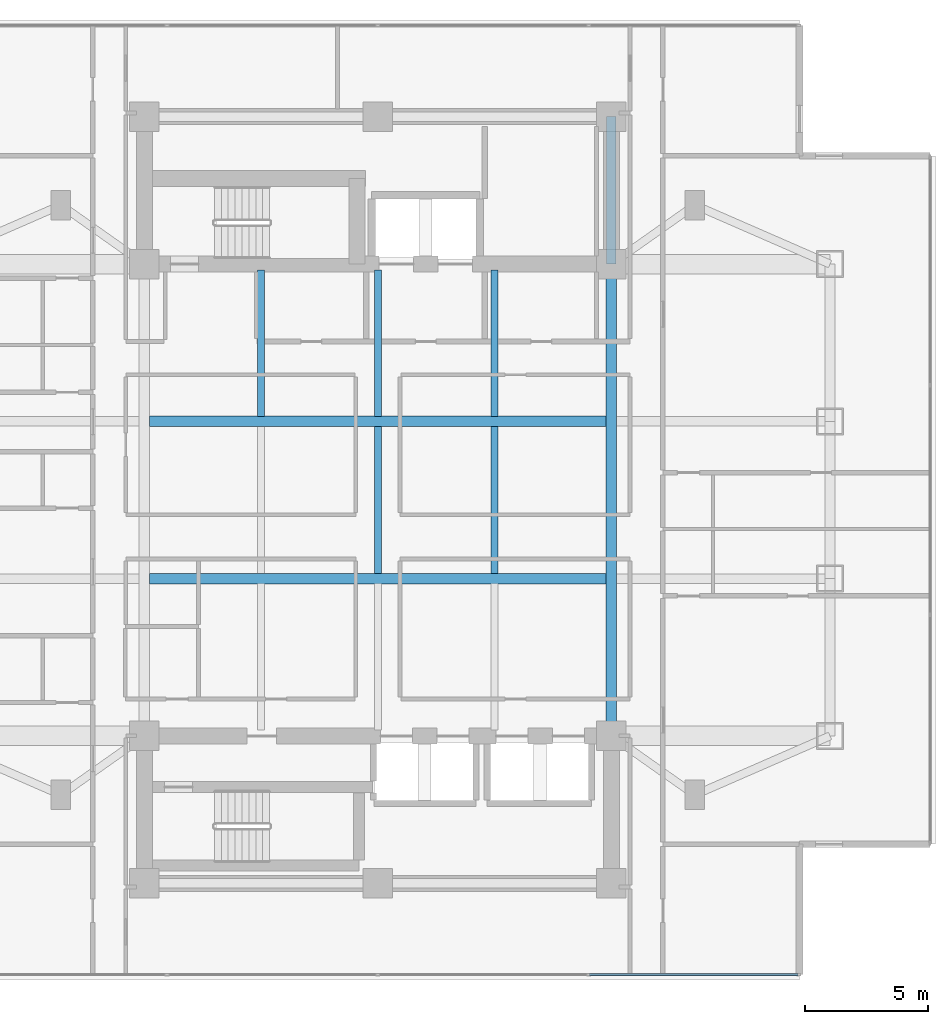
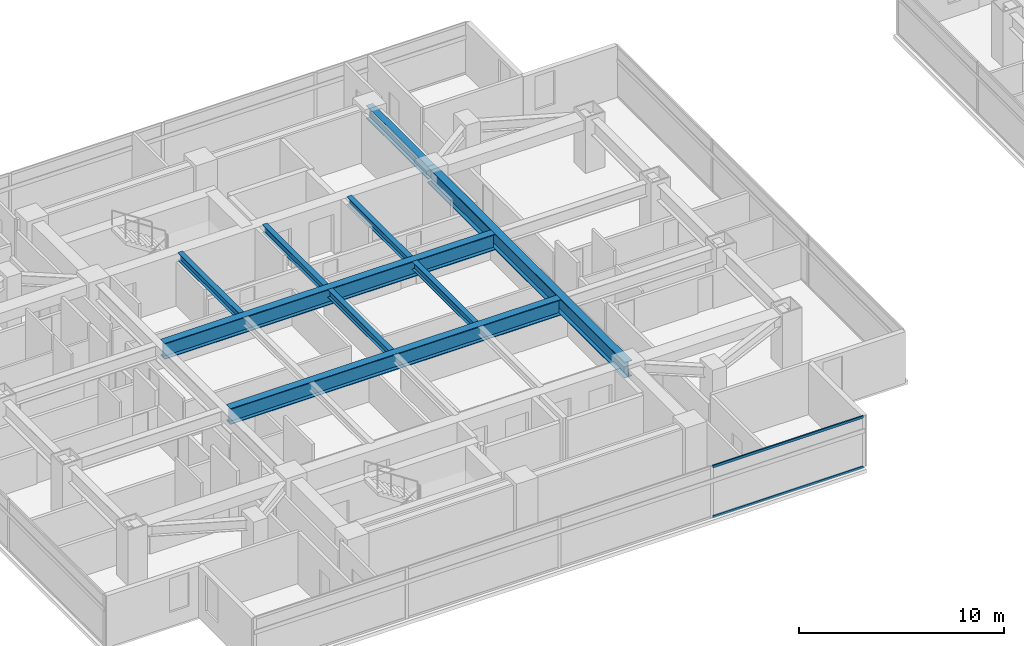
# One storey, part 4 of 26: 9 beams, 2 members, 1 element without a shape of its own.
"""IFC4 building model written with IfcOpenShell, lengths in metres."""

from ifc_helpers import new_model, si_unit, direction, frame, origin, origin_2d, place, context, subcontext, project, spatial, rectangle, i_section, extrude, material, material_profile, profile_set, type_object, element, aggregate, save


model = new_model("IFC4")

# Units and contexts
model_context = context("Model", 3, precision=1e-05, world=origin(), true_north=direction((0.0, 1.0)))
body_context = subcontext(model_context, "Body", "Model", "MODEL_VIEW")
ifc_project = project(units=[si_unit("LENGTHUNIT", "METRE"), si_unit("AREAUNIT", "SQUARE_METRE"), si_unit("VOLUMEUNIT", "CUBIC_METRE"), si_unit("PLANEANGLEUNIT", "RADIAN"), si_unit("MASSUNIT", "GRAM", prefix="KILO")], contexts=[model_context])

# Site, building, storey
site_placement = place(None, origin())
site = spatial("IfcSite", under=ifc_project, at=site_placement, CompositionType="ELEMENT")
building_placement = place(site_placement, origin())
building = spatial("IfcBuilding", under=site, at=building_placement, Name="Mirazonda Arch Towers", CompositionType="ELEMENT")
storey_placement = place(building_placement, frame((0.0, 0.0, 114.800048828125)))
storey = spatial("IfcBuildingStorey", under=building, at=storey_placement, Name="L32", CompositionType="ELEMENT", Elevation=114.800048828125)

# Beams
ifc_material_1 = material(Name="Steel ASTM A992 Grade 50", Category="steel")
ifc_material_profile_1 = material_profile(ifc_material_1, i_section(OverallWidth=0.280029296875, OverallDepth=0.462890625, WebThickness=0.0107421875, FlangeThickness=0.017333984375, at=origin_2d()), Name="W18X76")
ifc_profile_set_1 = profile_set([ifc_material_profile_1], Name="Steel ASTM A992 Grade 50")
beam_type_1 = type_object("IfcBeamType", Name="BM-INT-W18X76", PredefinedType="JOIST", material=ifc_profile_set_1)
for number, where, z_axis, x_axis, name in (
    (1, (15.75, 31.407470703125, 2.848388671875), (0.0, 1.0, 0.0), (-1.0, 0.0, 0.0), "L32 Floor Beam BM-T1-L32-J-157-31"),
    (2, (20.5, 31.407470703125, 2.848388671875), (0.0, 1.0, 0.0), (-1.0, 0.0, 0.0), "L32 Floor Beam BM-T1-L32-J-205-31"),
):
    element("IfcBeam", number, at=place(storey_placement, frame(where, z_axis=z_axis, x_axis=x_axis)), inside=storey, type_object=beam_type_1, Name=name, PredefinedType="JOIST", context=body_context, shape_type="SweptSolid", body=[
        extrude(i_section(OverallWidth=0.280029296875, OverallDepth=0.462890625, WebThickness=0.0107421875, FlangeThickness=0.017333984375, at=origin_2d()), origin(), (0.0, 0.0, 1.0), 5.95263671875),
    ])
beam_1_placement = place(storey_placement, frame((20.5, 25.007568359375, 2.848388671875), z_axis=(0.0, 1.0, 0.0), x_axis=(-1.0, 0.0, 0.0)))
element("IfcBeam", 3, at=beam_1_placement, inside=storey, type_object=beam_type_1, Name="L32 Floor Beam BM-T1-L32-J-205-24", PredefinedType="JOIST", context=body_context, shape_type="SweptSolid", body=[
    extrude(i_section(OverallWidth=0.280029296875, OverallDepth=0.462890625, WebThickness=0.0107421875, FlangeThickness=0.017333984375, at=origin_2d()), origin(), (0.0, 0.0, 1.0), 5.98486328125),
])
beam_2_placement = place(storey_placement, frame((25.25, 31.407470703125, 2.848388671875), z_axis=(0.0, 1.0, 0.0), x_axis=(-1.0, 0.0, 0.0)))
element("IfcBeam", 4, at=beam_2_placement, inside=storey, type_object=beam_type_1, Name="L32 Floor Beam BM-T1-L32-J-252-31", PredefinedType="JOIST", context=body_context, shape_type="SweptSolid", body=[
    extrude(i_section(OverallWidth=0.280029296875, OverallDepth=0.462890625, WebThickness=0.0107421875, FlangeThickness=0.017333984375, at=origin_2d()), origin(), (0.0, 0.0, 1.0), 5.95263671875),
])
beam_3_placement = place(storey_placement, frame((25.25, 25.007568359375, 2.848388671875), z_axis=(0.0, 1.0, 0.0), x_axis=(-1.0, 0.0, 0.0)))
element("IfcBeam", 5, at=beam_3_placement, inside=storey, type_object=beam_type_1, Name="L32 Floor Beam BM-T1-L32-J-252-24", PredefinedType="JOIST", context=body_context, shape_type="SweptSolid", body=[
    extrude(i_section(OverallWidth=0.280029296875, OverallDepth=0.462890625, WebThickness=0.0107421875, FlangeThickness=0.017333984375, at=origin_2d()), origin(), (0.0, 0.0, 1.0), 5.98486328125),
])
ifc_material_profile_2 = material_profile(ifc_material_1, i_section(OverallWidth=0.381103515625, OverallDepth=0.77294921875, WebThickness=0.0166015625, FlangeThickness=0.027099609375, at=origin_2d()), Name="W30X173")
ifc_profile_set_2 = profile_set([ifc_material_profile_2], Name="Steel ASTM A992 Grade 50")
beam_type_2 = type_object("IfcBeamType", Name="BM-INT-W30X173", PredefinedType="USERDEFINED", material=ifc_profile_set_2)
beam_4_placement = place(storey_placement, frame((30.0, 37.60009765625, 2.693359375), z_axis=(0.0, 1.0, 0.0), x_axis=(-1.0, 0.0, 0.0)))
element("IfcBeam", 6, at=beam_4_placement, inside=storey, type_object=beam_type_2, Name="L32 Floor Beam BM-T1-L32-CNE", ObjectType="GIRDER", PredefinedType="USERDEFINED", context=body_context, shape_type="SweptSolid", body=[
    extrude(i_section(OverallWidth=0.381103515625, OverallDepth=0.77294921875, WebThickness=0.0166015625, FlangeThickness=0.027099609375, at=origin_2d()), origin(), (0.0, 0.0, 1.0), 6.0),
])
ifc_material_profile_3 = material_profile(ifc_material_1, i_section(OverallWidth=0.423095703125, OverallDepth=0.947998046875, WebThickness=0.02392578125, FlangeThickness=0.042724609375, at=origin_2d()), Name="W36X302")
ifc_profile_set_3 = profile_set([ifc_material_profile_3], Name="Steel ASTM A992 Grade 50")
beam_type_3 = type_object("IfcBeamType", Name="BM-INT-W36X302", PredefinedType="USERDEFINED", material=ifc_profile_set_3)
for number, where, z_axis, x_axis, name in (
    (7, (11.21142578125, 24.800048828125, 2.60595703125), (1.0, 0.0, 0.0), (0.0, 1.0, 0.0), "L32 Floor Beam BM-T1-L32-GC2"),
    (8, (11.21142578125, 31.199951171875, 2.60595703125), (1.0, 0.0, 0.0), (0.0, 1.0, 0.0), "L32 Floor Beam BM-T1-L32-GC3"),
):
    element("IfcBeam", number, at=place(storey_placement, frame(where, z_axis=z_axis, x_axis=x_axis)), inside=storey, type_object=beam_type_3, Name=name, ObjectType="GIRDER", PredefinedType="USERDEFINED", context=body_context, shape_type="SweptSolid", body=[
        extrude(i_section(OverallWidth=0.423095703125, OverallDepth=0.947998046875, WebThickness=0.02392578125, FlangeThickness=0.042724609375, at=origin_2d()), origin(), (0.0, 0.0, 1.0), 18.5771484375),
    ])
beam_5_placement = place(storey_placement, frame((30.0, 18.39990234375, 2.60595703125), z_axis=(0.0, 1.0, 0.0), x_axis=(-1.0, 0.0, 0.0)))
element("IfcBeam", 9, at=beam_5_placement, inside=storey, type_object=beam_type_3, Name="L32 Floor Beam BM-T1-L32-NS-CE-FULL", ObjectType="GIRDER", PredefinedType="USERDEFINED", context=body_context, shape_type="SweptSolid", body=[
    extrude(i_section(OverallWidth=0.423095703125, OverallDepth=0.947998046875, WebThickness=0.02392578125, FlangeThickness=0.042724609375, at=origin_2d()), origin(), (0.0, 0.0, 1.0), 19.2001953125),
])

# Curtain wall, members
ifc_material_2 = material(Name="Anodised Aluminium and Low-E Glass", Category="aluminium")
curtain_wall_type = type_object("IfcCurtainWallType", Name="CW-HTL-UNIT", PredefinedType="NOTDEFINED", material=ifc_material_2)
curtain_wall_placement = place(storey_placement, origin())
curtain_wall = element("IfcCurtainWall", 10, at=curtain_wall_placement, inside=storey, type_object=curtain_wall_type, Name="L32 T1 S Facade CW-L32-T1-S", PredefinedType="NOTDEFINED")
ifc_material_3 = material(Name="Anodised Aluminium Alloy", Category="aluminium")
ifc_material_profile_4 = material_profile(ifc_material_3, rectangle(XDim=0.074951171875, YDim=0.14501953125, at=origin_2d()), Name="ALU-TRAN-75x145")
ifc_profile_set_4 = profile_set([ifc_material_profile_4], Name="Anodised Aluminium Alloy")
member_type = type_object("IfcMemberType", Name="TRAN-CW-HTL-UNIT", PredefinedType="USERDEFINED", material=ifc_profile_set_4)
member_1_placement = place(storey_placement, frame((37.590087890625, 8.68603515625, 0.037353515625), z_axis=(-1.0, 0.0, 0.0), x_axis=(0.0, -1.0, 0.0)))
member_1 = element("IfcMember", 11, at=member_1_placement, type_object=member_type, Name="CW-112 transom 1.1", ObjectType="TRANSOM", PredefinedType="USERDEFINED", context=body_context, shape_type="SweptSolid", body=[
    extrude(rectangle(XDim=0.074951171875, YDim=0.14501953125, at=origin_2d()), origin(), (0.0, 0.0, 1.0), 8.469970703125),
])
member_2_placement = place(storey_placement, frame((37.590087890625, 8.68603515625, 3.0224609375), z_axis=(-1.0, 0.0, 0.0), x_axis=(0.0, -1.0, 0.0)))
member_2 = element("IfcMember", 12, at=member_2_placement, type_object=member_type, Name="CW-112 transom 1.2", ObjectType="TRANSOM", PredefinedType="USERDEFINED", context=body_context, shape_type="SweptSolid", body=[
    extrude(rectangle(XDim=0.074951171875, YDim=0.14501953125, at=origin_2d()), origin(), (0.0, 0.0, 1.0), 8.469970703125),
])
aggregate(curtain_wall, [member_1, member_2])

save(model, "model.ifc")
